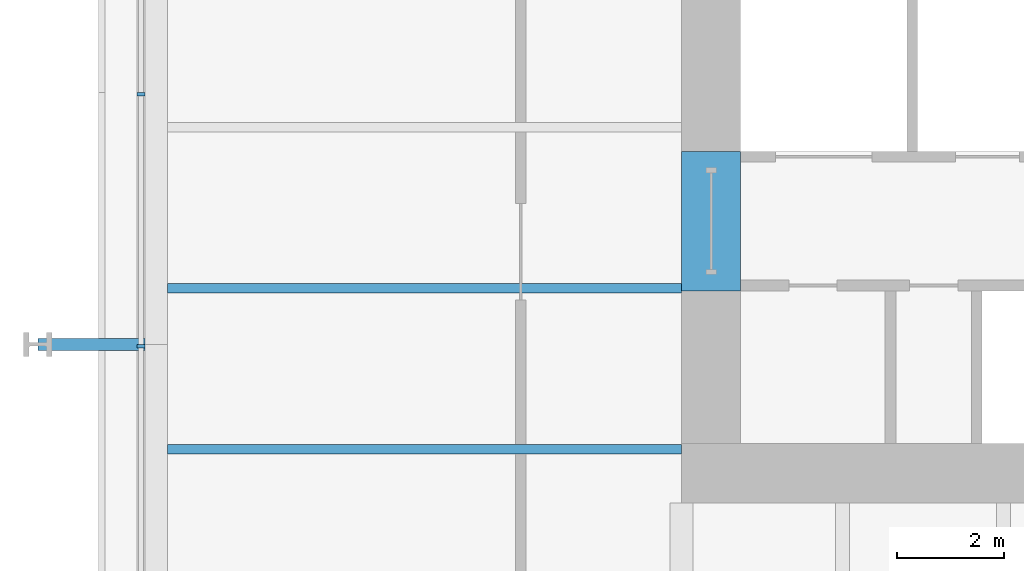
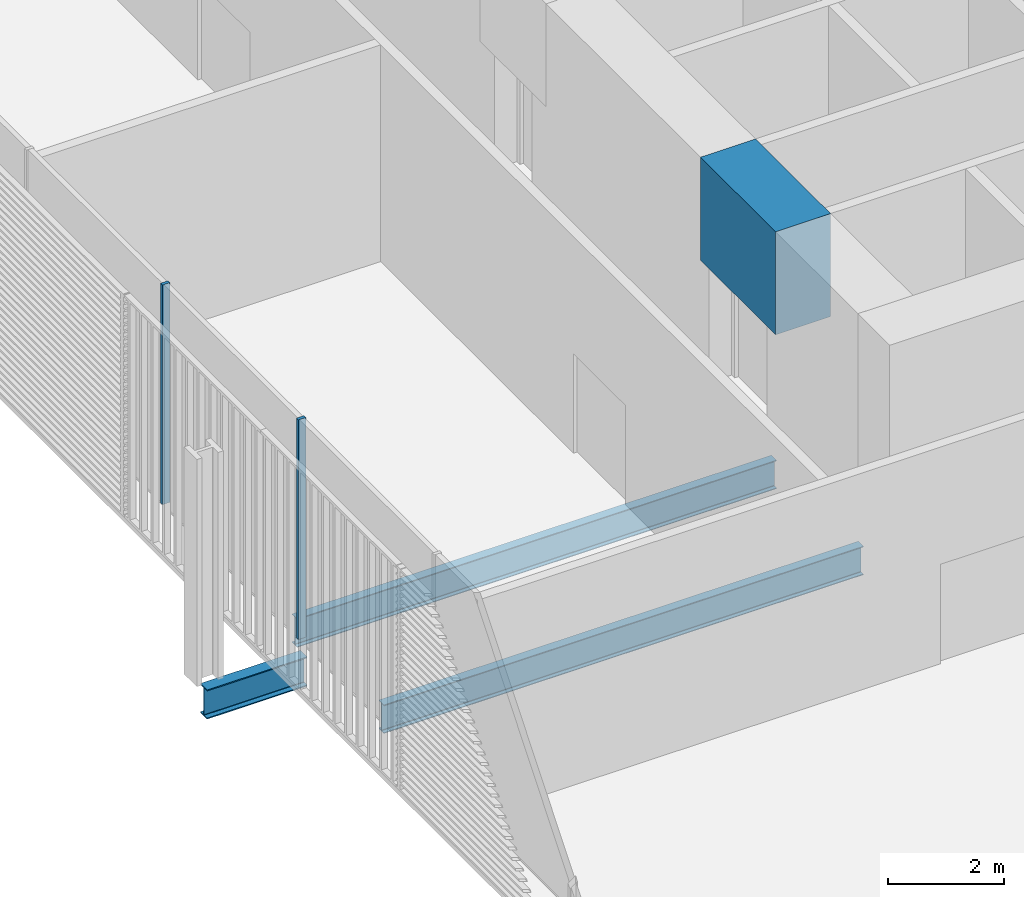
# One storey, part 5 of 22: 4 beams, 2 members, 1 element without a shape of its own.
"""IFC4 building model written with IfcOpenShell, lengths in metres."""

from ifc_helpers import new_model, si_unit, direction, frame, origin, origin_2d, place, context, subcontext, project, spatial, rectangle, i_section, extrude, material, layer, layer_set, material_profile, profile_set, type_object, element, aggregate, save


model = new_model("IFC4")

# Units and contexts
model_context = context("Model", 3, precision=1e-05, world=origin(), true_north=direction((0.0, 1.0)))
body_context = subcontext(model_context, "Body", "Model", "MODEL_VIEW")
ifc_project = project(units=[si_unit("LENGTHUNIT", "METRE"), si_unit("AREAUNIT", "SQUARE_METRE"), si_unit("VOLUMEUNIT", "CUBIC_METRE"), si_unit("PLANEANGLEUNIT", "RADIAN"), si_unit("MASSUNIT", "GRAM", prefix="KILO")], contexts=[model_context])

# Site, building, storey
site_placement = place(None, origin())
site = spatial("IfcSite", under=ifc_project, at=site_placement, CompositionType="ELEMENT")
building_placement = place(site_placement, origin())
building = spatial("IfcBuilding", under=site, at=building_placement, Name="Millrace Tower", CompositionType="ELEMENT")
storey_placement = place(building_placement, frame((0.0, 0.0, 25.699951171875)))
storey = spatial("IfcBuildingStorey", under=building, at=storey_placement, Name="L06", CompositionType="ELEMENT", Elevation=25.699951171875)

# Curtain wall, members
ifc_material_1 = material(Name="Aluminium and glass", Category="aluminium")
ifc_layer = layer(ifc_material_1, 0.14990234375)
ifc_layer_set = layer_set([ifc_layer], Name="Aluminium and glass")
curtain_wall_type = type_object("IfcCurtainWallType", Name="CW-2 data hall insulated curtain wall", PredefinedType="NOTDEFINED", material=ifc_layer_set)
curtain_wall_placement = place(storey_placement, origin())
curtain_wall = element("IfcCurtainWall", 1, at=curtain_wall_placement, inside=storey, type_object=curtain_wall_type, Name="Curtain wall A-F08 L06", PredefinedType="NOTDEFINED")
ifc_material_2 = material(Name="Aluminium", Category="aluminium")
ifc_material_profile_1 = material_profile(ifc_material_2, rectangle(XDim=0.06494140625, YDim=0.14990234375, at=origin_2d()))
ifc_profile_set_1 = profile_set([ifc_material_profile_1], Name="Aluminium")
member_type = type_object("IfcMemberType", Name="CW-2 data hall insulated curtain wall mullion", PredefinedType="MULLION", material=ifc_profile_set_1)
member_1_placement = place(storey_placement, frame((-25.074951171875, -2.382568359375, 0.16015625), z_axis=(0.0, 0.0, 1.0), x_axis=(0.0, -1.0, 0.0)))
member_1 = element("IfcMember", 2, at=member_1_placement, type_object=member_type, Name="CW2 mullion A-F08.6", PredefinedType="MULLION", context=body_context, shape_type="SweptSolid", body=[
    extrude(rectangle(XDim=0.06494140625, YDim=0.14990234375, at=origin_2d()), origin(), (0.0, 0.0, 1.0), 4.639892578125),
])
member_2_placement = place(storey_placement, frame((-25.074951171875, -7.08251953125, 0.16015625), z_axis=(0.0, 0.0, 1.0), x_axis=(0.0, -1.0, 0.0)))
member_2 = element("IfcMember", 3, at=member_2_placement, type_object=member_type, Name="CW2 mullion A-F08.7", PredefinedType="MULLION", context=body_context, shape_type="SweptSolid", body=[
    extrude(rectangle(XDim=0.06494140625, YDim=0.14990234375, at=origin_2d()), origin(), (0.0, 0.0, 1.0), 4.639892578125),
])
aggregate(curtain_wall, [member_1, member_2])

# Beams
ifc_material_3 = material(Name="Concrete C80", Category="concrete")
ifc_material_profile_2 = material_profile(ifc_material_3, rectangle(XDim=1.10009765625, YDim=2.175048828125, at=origin_2d()))
ifc_profile_set_2 = profile_set([ifc_material_profile_2], Name="Concrete C80")
beam_type_1 = type_object("IfcBeamType", Name="Coupling beam 1100 x 2175 Concrete C80, 2000 opening", PredefinedType="BEAM", material=ifc_profile_set_2)
beam_1_placement = place(storey_placement, frame((-14.449951171875, -6.050048828125, 3.487548828125), z_axis=(0.0, 1.0, 0.0), x_axis=(-1.0, 0.0, 0.0)))
element("IfcBeam", 4, at=beam_1_placement, inside=storey, type_object=beam_type_1, Name="Coupling beam W L06", PredefinedType="BEAM", context=body_context, shape_type="SweptSolid", body=[
    extrude(rectangle(XDim=1.10009765625, YDim=2.175048828125, at=origin_2d()), origin(), (0.0, 0.0, 1.0), 2.60009765625),
])
ifc_material_4 = material(Name="Steel ASTM A992 Grade 50", Category="steel")
ifc_material_profile_3 = material_profile(ifc_material_4, i_section(OverallWidth=0.1787109375, OverallDepth=0.60205078125, WebThickness=0.010986328125, FlangeThickness=0.014892578125, FilletRadius=0.0126953125, at=origin_2d()))
ifc_profile_set_3 = profile_set([ifc_material_profile_3], Name="Steel ASTM A992 Grade 50")
beam_type_2 = type_object("IfcBeamType", Name="Floor beam W24x62", PredefinedType="JOIST", material=ifc_profile_set_3)
for number, where, z_axis, x_axis, name in (
    (5, (-24.578369140625, -9.0, -0.52587890625), (1.0, 0.0, 0.0), (0.0, 1.0, 0.0), "BM-A-L06-S1-S012"),
    (6, (-24.578369140625, -6.0, -0.52587890625), (1.0, 0.0, 0.0), (0.0, 1.0, 0.0), "BM-A-L06-S1-S015"),
):
    element("IfcBeam", number, at=place(storey_placement, frame(where, z_axis=z_axis, x_axis=x_axis)), inside=storey, type_object=beam_type_2, Name=name, PredefinedType="JOIST", context=body_context, shape_type="SweptSolid", body=[
        extrude(i_section(OverallWidth=0.1787109375, OverallDepth=0.60205078125, WebThickness=0.010986328125, FlangeThickness=0.014892578125, FilletRadius=0.0126953125, at=origin_2d()), origin(), (0.0, 0.0, 1.0), 9.578369140625),
    ])
ifc_material_5 = material(Name="Steel ASTM A992 Grade 50", Category="steel")
ifc_material_profile_4 = material_profile(ifc_material_5, i_section(OverallWidth=0.23046875, OverallDepth=0.6171875, WebThickness=0.01318359375, FlangeThickness=0.022216796875, FilletRadius=0.012939453125, at=origin_2d()))
ifc_profile_set_4 = profile_set([ifc_material_profile_4], Name="Steel ASTM A992 Grade 50")
beam_type_3 = type_object("IfcBeamType", Name="Link beam W24x94", PredefinedType="BEAM", material=ifc_profile_set_4)
beam_2_placement = place(storey_placement, frame((-25.0, -7.050048828125, -0.533447265625), z_axis=(-1.0, 0.0, 0.0), x_axis=(0.0, -1.0, 0.0)))
element("IfcBeam", 7, at=beam_2_placement, inside=storey, type_object=beam_type_3, Name="LNK-A-L06-S1-02", PredefinedType="BEAM", context=body_context, shape_type="SweptSolid", body=[
    extrude(i_section(OverallWidth=0.23046875, OverallDepth=0.6171875, WebThickness=0.01318359375, FlangeThickness=0.022216796875, FilletRadius=0.012939453125, at=origin_2d()), origin(), (0.0, 0.0, 1.0), 2.0),
])

save(model, "model.ifc")
